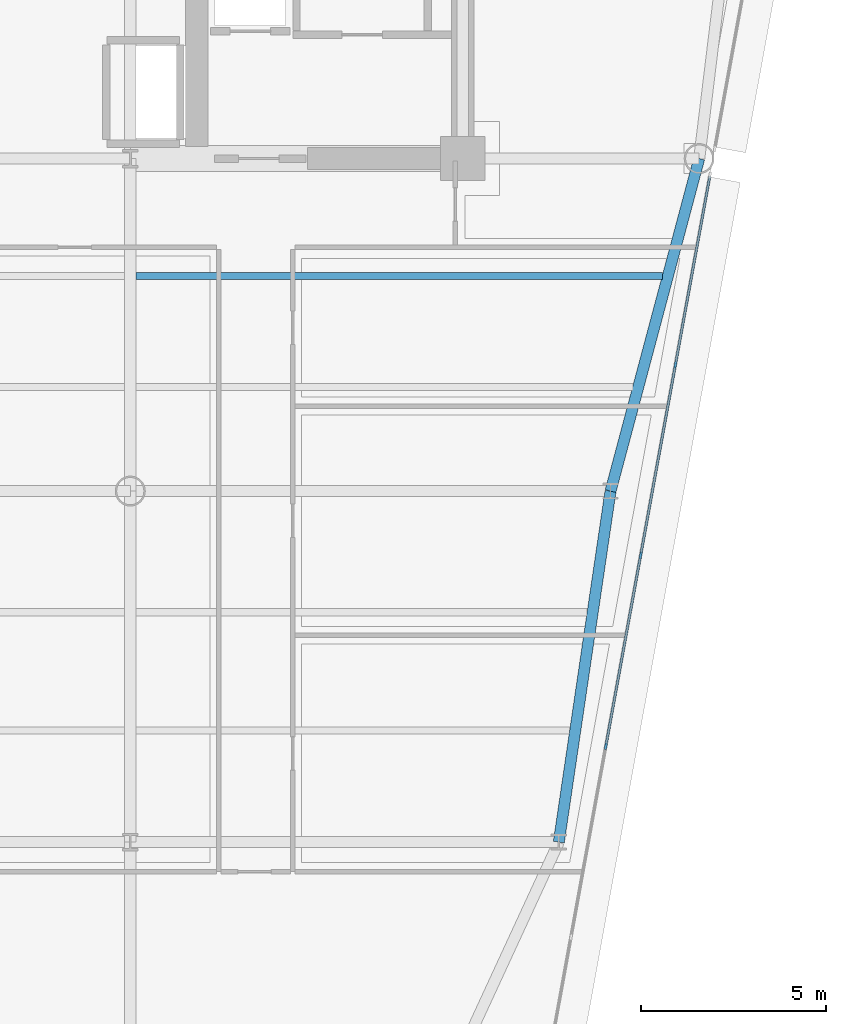
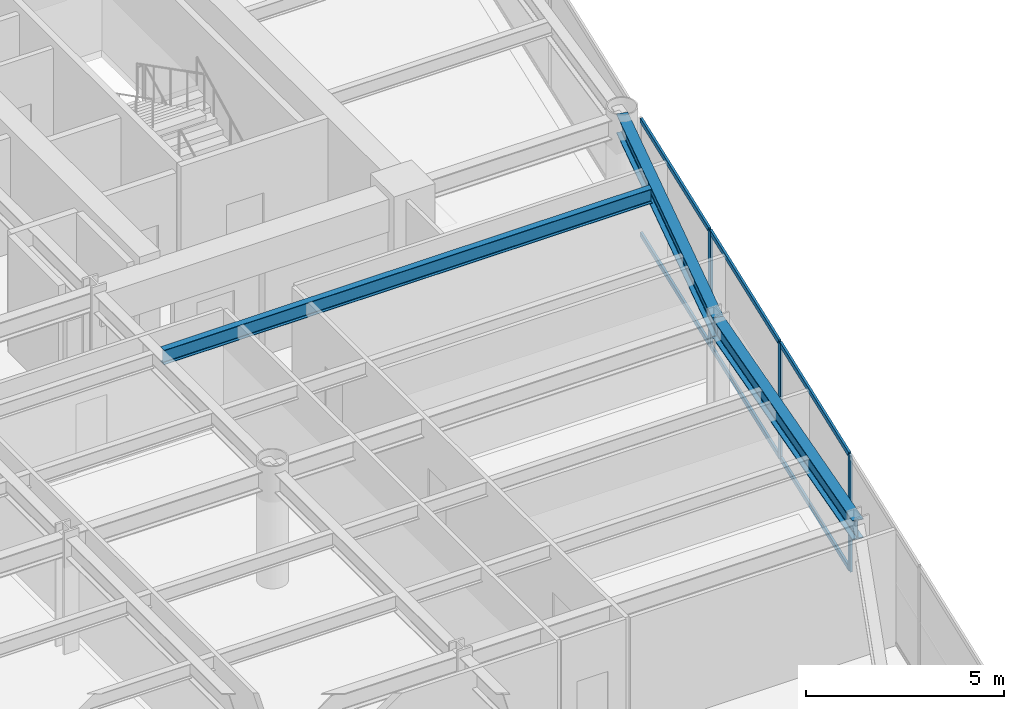
# One storey, part 6 of 17: 9 members, 3 beams, 1 element without a shape of its own.
"""IFC4 building model written with IfcOpenShell, lengths in metres."""

from ifc_helpers import new_model, si_unit, direction, frame, origin, origin_2d, place, context, subcontext, project, spatial, rectangle, i_section, extrude, source, transform, mapped, material, layer, layer_set, material_profile, profile_set, type_object, element, aggregate, save


model = new_model("IFC4")

# Units and contexts
model_context = context("Model", 3, precision=1e-05, world=origin(), true_north=direction((0.0, 1.0)))
body_context = subcontext(model_context, "Body", "Model", "MODEL_VIEW")
ifc_project = project(units=[si_unit("LENGTHUNIT", "METRE"), si_unit("AREAUNIT", "SQUARE_METRE"), si_unit("VOLUMEUNIT", "CUBIC_METRE"), si_unit("PLANEANGLEUNIT", "RADIAN"), si_unit("MASSUNIT", "GRAM", prefix="KILO")], contexts=[model_context])

# Site, building, storey
site_placement = place(None, origin())
site = spatial("IfcSite", under=ifc_project, at=site_placement, CompositionType="ELEMENT")
building_placement = place(site_placement, origin())
building = spatial("IfcBuilding", under=site, at=building_placement, Name="Vaeldorn Concourse Tower", CompositionType="ELEMENT")
storey_placement = place(building_placement, frame((0.0, 0.0, 169.0)))
storey = spatial("IfcBuildingStorey", under=building, at=storey_placement, Name="L43", CompositionType="ELEMENT", Elevation=169.0)

# Beams
ifc_material_1 = material(Name="Steel S355", Category="steel")
ifc_material_profile_1 = material_profile(ifc_material_1, i_section(OverallWidth=0.18994140625, OverallDepth=0.449951171875, WebThickness=0.009521484375, FlangeThickness=0.0146484375, FilletRadius=0.02099609375, at=origin_2d()), Name="IPE 450")
ifc_profile_set_1 = profile_set([ifc_material_profile_1], Name="Steel S355")
beam_type_1 = type_object("IfcBeamType", Name="BM-JS-IPE450", PredefinedType="JOIST", material=ifc_profile_set_1)
shared_shape_1 = source(origin(), body_context, "Body", "SweptSolid", [
    extrude(i_section(OverallWidth=0.18994140625, OverallDepth=0.449951171875, WebThickness=0.009521484375, FlangeThickness=0.0146484375, FilletRadius=0.02099609375, at=origin_2d()), origin(), (0.0, 0.0, 1.0), 14.252197265625),
])
beam_1_placement = place(storey_placement, frame((45.14990234375, 33.320068359375, 3.35498046875), z_axis=(1.0, 0.0, 0.0), x_axis=(0.0, 1.0, 0.0)))
element("IfcBeam", 1, at=beam_1_placement, inside=storey, type_object=beam_type_1, Name="Beam JS-L43-E1-333", PredefinedType="JOIST", context=body_context, shape_type="MappedRepresentation", body=[
    mapped(shared_shape_1, transform((0.0, 0.0, 0.0), scale=1.0)),
])
ifc_material_profile_2 = material_profile(ifc_material_1, i_section(OverallWidth=0.300048828125, OverallDepth=0.60009765625, WebThickness=0.015380859375, FlangeThickness=0.030029296875, FilletRadius=0.027099609375, at=origin_2d()), Name="HEB 600")
ifc_profile_set_2 = profile_set([ifc_material_profile_2], Name="Steel S355")
beam_type_2 = type_object("IfcBeamType", Name="BM-PG-HEB600", PredefinedType="BEAM", material=ifc_profile_set_2)
shared_shape_2 = source(origin(), body_context, "Body", "SweptSolid", [
    extrude(i_section(OverallWidth=0.300048828125, OverallDepth=0.60009765625, WebThickness=0.015380859375, FlangeThickness=0.030029296875, FilletRadius=0.027099609375, at=origin_2d()), origin(), (0.0, 0.0, 1.0), 9.314453125),
])
beam_2_placement = place(storey_placement, frame((60.39990234375, 36.5, 3.280029296875), z_axis=(-0.257652862255, -0.966237549763, 0.0), x_axis=(0.966237549763, -0.257652862255, 0.0)))
element("IfcBeam", 2, at=beam_2_placement, inside=storey, type_object=beam_type_2, Name="Beam BM-L43-C-NE2-C-FLE1", PredefinedType="BEAM", context=body_context, shape_type="MappedRepresentation", body=[
    mapped(shared_shape_2, transform((0.0, 0.0, 0.0), scale=1.0)),
])
shared_shape_3 = source(origin(), body_context, "Body", "SweptSolid", [
    extrude(i_section(OverallWidth=0.300048828125, OverallDepth=0.60009765625, WebThickness=0.015380859375, FlangeThickness=0.030029296875, FilletRadius=0.027099609375, at=origin_2d()), origin(), (0.0, 0.0, 1.0), 9.6025390625),
])
beam_3_placement = place(storey_placement, frame((58.0, 27.5, 3.280029296875), z_axis=(-0.145783835977, -0.989316467652, 0.0), x_axis=(0.989316467652, -0.145783835977, 0.0)))
element("IfcBeam", 3, at=beam_3_placement, inside=storey, type_object=beam_type_2, Name="Beam BM-L43-C-FLE1-C-FLE2", PredefinedType="BEAM", context=body_context, shape_type="MappedRepresentation", body=[
    mapped(shared_shape_3, transform((0.0, 0.0, 0.0), scale=1.0)),
])

# Curtain wall, members
ifc_material_2 = material(Name="Anodised Bronze Aluminium", Category="aluminium")
ifc_layer = layer(ifc_material_2, 0.18994140625)
ifc_layer_set = layer_set([ifc_layer], Name="Anodised Bronze Aluminium")
curtain_wall_type = type_object("IfcCurtainWallType", Name="CW-SYS-03", PredefinedType="NOTDEFINED", material=ifc_layer_set)
curtain_wall_placement = place(storey_placement, origin())
curtain_wall = element("IfcCurtainWall", 4, at=curtain_wall_placement, inside=storey, type_object=curtain_wall_type, Name="Unitised Curtain Wall CW-L43-E07-1", PredefinedType="NOTDEFINED")
ifc_material_profile_3 = material_profile(ifc_material_2, rectangle(XDim=0.06494140625, YDim=0.14990234375, at=origin_2d()), Name="CWT 65x150")
ifc_profile_set_3 = profile_set([ifc_material_profile_3], Name="Anodised Bronze Aluminium")
member_type_1 = type_object("IfcMemberType", Name="CWT-BRONZE-150", PredefinedType="USERDEFINED", material=ifc_profile_set_3)
shared_shape_4 = source(origin(), body_context, "Body", "SweptSolid", [
    extrude(rectangle(XDim=0.06494140625, YDim=0.14990234375, at=origin_2d()), origin(), (0.0, 0.0, 1.0), 5.151611328125),
])
member_1_placement = place(storey_placement, frame((59.762451171875, 30.95166015625, 0.032470703125), z_axis=(0.179473445995, 0.983762818053, 0.0), x_axis=(-0.983762818053, 0.179473445995, 0.0)))
member_1 = element("IfcMember", 5, at=member_1_placement, type_object=member_type_1, Name="CW-03 transom 6.1", ObjectType="TRANSOM", PredefinedType="USERDEFINED", context=body_context, shape_type="MappedRepresentation", body=[
    mapped(shared_shape_4, transform((0.0, 0.0, 0.0), scale=1.0)),
])
member_2_placement = place(storey_placement, frame((59.762451171875, 30.95166015625, 3.547607421875), z_axis=(0.179473445995, 0.983762818053, 0.0), x_axis=(-0.983762818053, 0.179473445995, 0.0)))
member_2 = element("IfcMember", 6, at=member_2_placement, type_object=member_type_1, Name="CW-03 transom 6.2", ObjectType="TRANSOM", PredefinedType="USERDEFINED", context=body_context, shape_type="MappedRepresentation", body=[
    mapped(shared_shape_4, transform((0.0, 0.0, 0.0), scale=1.0)),
])
shared_shape_5 = source(origin(), body_context, "Body", "SweptSolid", [
    extrude(rectangle(XDim=0.06494140625, YDim=0.14990234375, at=origin_2d()), origin(), (0.0, 0.0, 1.0), 5.18408203125),
])
member_3_placement = place(storey_placement, frame((57.878662109375, 20.623779296875, 0.032470703125), z_axis=(0.179432467646, 0.983770293084, 0.0), x_axis=(-0.983770293084, 0.179432467646, 0.0)))
member_3 = element("IfcMember", 7, at=member_3_placement, type_object=member_type_1, Name="CW-03 transom 4.1", ObjectType="TRANSOM", PredefinedType="USERDEFINED", context=body_context, shape_type="MappedRepresentation", body=[
    mapped(shared_shape_5, transform((0.0, 0.0, 0.0), scale=1.0)),
])
member_4_placement = place(storey_placement, frame((57.878662109375, 20.623779296875, 3.547607421875), z_axis=(0.179432467646, 0.983770293084, 0.0), x_axis=(-0.983770293084, 0.179432467646, 0.0)))
member_4 = element("IfcMember", 8, at=member_4_placement, type_object=member_type_1, Name="CW-03 transom 4.2", ObjectType="TRANSOM", PredefinedType="USERDEFINED", context=body_context, shape_type="MappedRepresentation", body=[
    mapped(shared_shape_5, transform((0.0, 0.0, 0.0), scale=1.0)),
])
shared_shape_6 = source(origin(), body_context, "Body", "SweptSolid", [
    extrude(rectangle(XDim=0.06494140625, YDim=0.14990234375, at=origin_2d()), origin(), (0.0, 0.0, 1.0), 5.184326171875),
])
member_5_placement = place(storey_placement, frame((58.820556640625, 25.78759765625, 0.032470703125), z_axis=(0.179424154775, 0.983771809254, 0.0), x_axis=(-0.983771809254, 0.179424154775, 0.0)))
member_5 = element("IfcMember", 9, at=member_5_placement, type_object=member_type_1, Name="CW-03 transom 5.1", ObjectType="TRANSOM", PredefinedType="USERDEFINED", context=body_context, shape_type="MappedRepresentation", body=[
    mapped(shared_shape_6, transform((0.0, 0.0, 0.0), scale=1.0)),
])
member_6_placement = place(storey_placement, frame((58.820556640625, 25.78759765625, 3.547607421875), z_axis=(0.179424154775, 0.983771809254, 0.0), x_axis=(-0.983771809254, 0.179424154775, 0.0)))
member_6 = element("IfcMember", 10, at=member_6_placement, type_object=member_type_1, Name="CW-03 transom 5.2", ObjectType="TRANSOM", PredefinedType="USERDEFINED", context=body_context, shape_type="MappedRepresentation", body=[
    mapped(shared_shape_6, transform((0.0, 0.0, 0.0), scale=1.0)),
])
ifc_material_profile_4 = material_profile(ifc_material_2, rectangle(XDim=0.06494140625, YDim=0.169921875, at=origin_2d()), Name="CWM 65x170")
ifc_profile_set_4 = profile_set([ifc_material_profile_4], Name="Anodised Bronze Aluminium")
member_type_2 = type_object("IfcMemberType", Name="CWM-BRONZE-170", PredefinedType="MULLION", material=ifc_profile_set_4)
shared_shape_7 = source(origin(), body_context, "Body", "SweptSolid", [
    extrude(rectangle(XDim=0.06494140625, YDim=0.169921875, at=origin_2d()), origin(), (0.0, 0.0, 1.0), 3.580078125),
])
member_7_placement = place(storey_placement, frame((57.872802734375, 20.591796875, 0.0), z_axis=(0.0, 0.0, 1.0), x_axis=(-0.983767841325, 0.179445909331, 0.0)))
member_7 = element("IfcMember", 11, at=member_7_placement, type_object=member_type_2, Name="CW-03 mullion 4", PredefinedType="MULLION", context=body_context, shape_type="MappedRepresentation", body=[
    mapped(shared_shape_7, transform((0.0, 0.0, 0.0), scale=1.0)),
])
member_8_placement = place(storey_placement, frame((58.814697265625, 25.755615234375, 0.0), z_axis=(0.0, 0.0, 1.0), x_axis=(-0.983767841325, 0.179445909331, 0.0)))
member_8 = element("IfcMember", 12, at=member_8_placement, type_object=member_type_2, Name="CW-03 mullion 5", PredefinedType="MULLION", context=body_context, shape_type="MappedRepresentation", body=[
    mapped(shared_shape_7, transform((0.0, 0.0, 0.0), scale=1.0)),
])
member_9_placement = place(storey_placement, frame((59.756591796875, 30.919677734375, 0.0), z_axis=(0.0, 0.0, 1.0), x_axis=(-0.983767841325, 0.179445909331, 0.0)))
member_9 = element("IfcMember", 13, at=member_9_placement, type_object=member_type_2, Name="CW-03 mullion 6", PredefinedType="MULLION", context=body_context, shape_type="MappedRepresentation", body=[
    mapped(shared_shape_7, transform((0.0, 0.0, 0.0), scale=1.0)),
])
aggregate(curtain_wall, [member_7, member_8, member_9, member_3, member_4, member_5, member_6, member_1, member_2])

save(model, "model.ifc")
